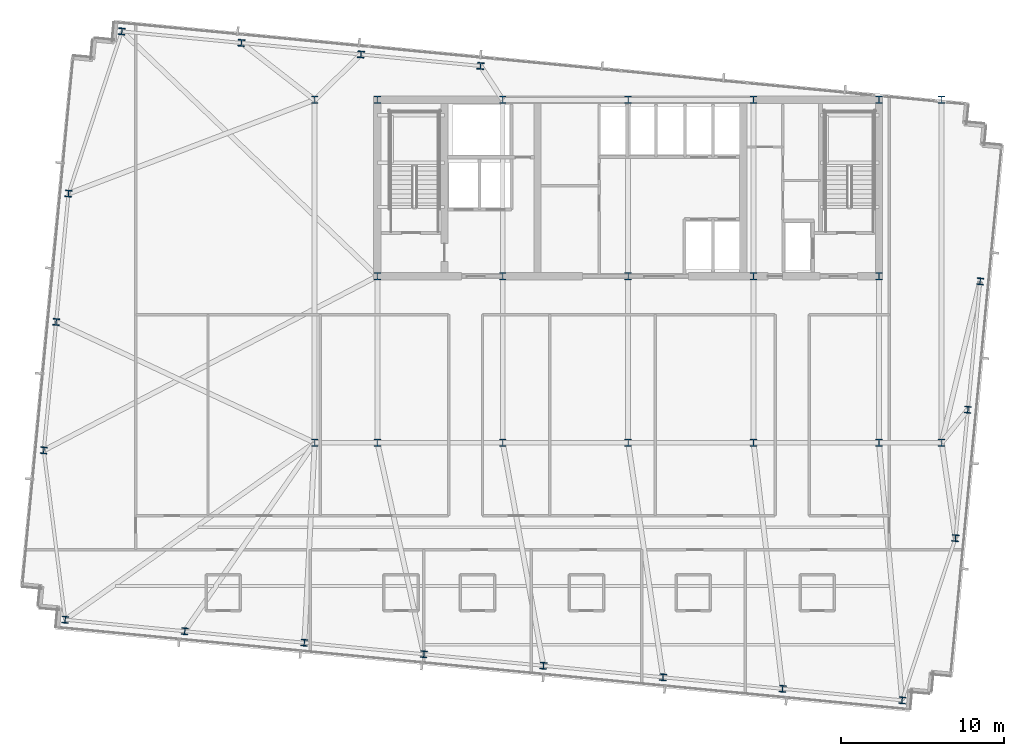
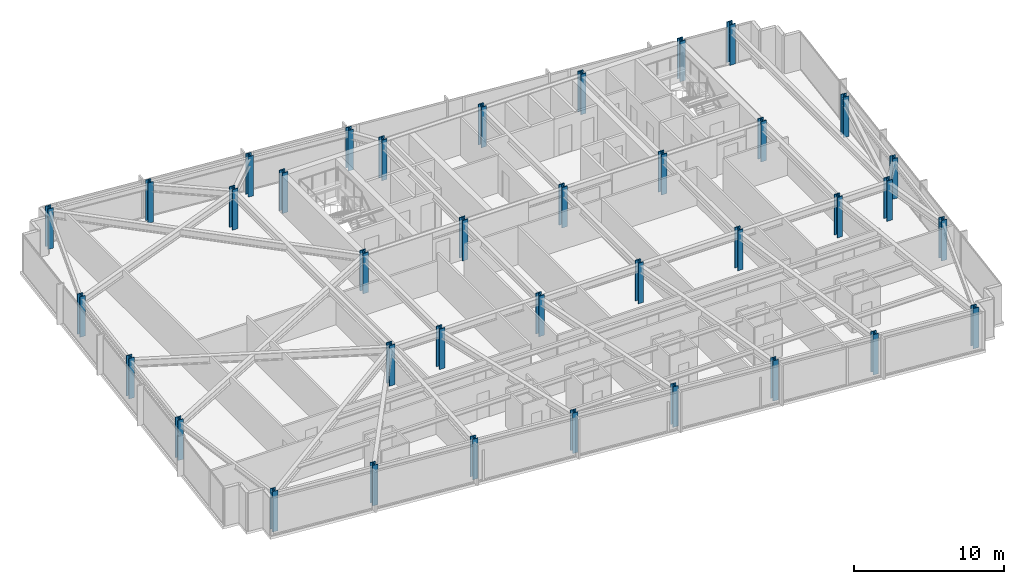
# One storey, part 1 of 36: 37 columns.
"""IFC4 building model written with IfcOpenShell, lengths in metres."""

from ifc_helpers import new_model, si_unit, direction, frame, origin, origin_2d, place, context, subcontext, project, spatial, i_section, extrude, material, material_profile, profile_set, type_object, element, save


model = new_model("IFC4")

# Units and contexts
model_context = context("Model", 3, precision=1e-05, world=origin(), true_north=direction((0.0, 1.0)))
body_context = subcontext(model_context, "Body", "Model", "MODEL_VIEW")
ifc_project = project(units=[si_unit("LENGTHUNIT", "METRE"), si_unit("AREAUNIT", "SQUARE_METRE"), si_unit("VOLUMEUNIT", "CUBIC_METRE"), si_unit("PLANEANGLEUNIT", "RADIAN"), si_unit("MASSUNIT", "GRAM", prefix="KILO")], contexts=[model_context])

# Site, building, storey
site_placement = place(None, origin())
site = spatial("IfcSite", under=ifc_project, at=site_placement, CompositionType="ELEMENT")
building_placement = place(site_placement, origin())
building = spatial("IfcBuilding", under=site, at=building_placement, Name="Yelkora Congress Tower", CompositionType="ELEMENT")
storey_placement = place(building_placement, frame((0.0, 0.0, 152.300048828125)))
storey = spatial("IfcBuildingStorey", under=building, at=storey_placement, Name="L41", CompositionType="ELEMENT", Elevation=152.300048828125)

# Columns
ifc_material = material(Name="Steel S460M", Category="steel")
ifc_material_profile_1 = material_profile(ifc_material, i_section(OverallWidth=0.406005859375, OverallDepth=0.416015625, WebThickness=0.02978515625, FlangeThickness=0.048095703125, FilletRadius=0.014892578125, at=origin_2d()), Name="HD 400x382")
ifc_profile_set_1 = profile_set([ifc_material_profile_1], Name="Steel S460M")
column_type_1 = type_object("IfcColumnType", Name="COL-HD-382-EXT", PredefinedType="COLUMN", material=ifc_profile_set_1)
for number, where, z_axis, x_axis, name in (
    (1, (3.919189453125, 14.357421875, 0.0), (0.0, 0.0, 1.0), (0.995396198367, -0.09584575252, 0.0), "L41 Perimeter Column S01"),
    (2, (11.242431640625, 13.652099609375, 0.0), (0.0, 0.0, 1.0), (0.995396198367, -0.09584575252, 0.0), "L41 Perimeter Column S02"),
    (3, (18.56591796875, 12.947021484375, 0.0), (0.0, 0.0, 1.0), (0.995396198367, -0.09584575252, 0.0), "L41 Perimeter Column S03"),
    (4, (25.888916015625, 12.24169921875, 0.0), (0.0, 0.0, 1.0), (0.995396198367, -0.09584575252, 0.0), "L41 Perimeter Column S04"),
    (5, (33.21240234375, 11.53662109375, 0.0), (0.0, 0.0, 1.0), (0.995396198367, -0.09584575252, 0.0), "L41 Perimeter Column S05"),
    (6, (40.53564453125, 10.83154296875, 0.0), (0.0, 0.0, 1.0), (0.995396198367, -0.09584575252, 0.0), "L41 Perimeter Column S06"),
    (7, (47.85888671875, 10.12646484375, 0.0), (0.0, 0.0, 1.0), (0.995396198367, -0.09584575252, 0.0), "L41 Perimeter Column S07"),
    (8, (55.18212890625, 9.421142578125, 0.0), (0.0, 0.0, 1.0), (0.995396198367, -0.09584575252, 0.0), "L41 Perimeter Column S08"),
    (9, (7.388916015625, 50.390625, 0.0), (0.0, 0.0, 1.0), (0.995396198367, -0.09584575252, 0.0), "L41 Perimeter Column N01"),
    (10, (14.712158203125, 49.685546875, 0.0), (0.0, 0.0, 1.0), (0.995396198367, -0.09584575252, 0.0), "L41 Perimeter Column N02"),
    (11, (22.035400390625, 48.980224609375, 0.0), (0.0, 0.0, 1.0), (0.995396198367, -0.09584575252, 0.0), "L41 Perimeter Column N03"),
    (12, (29.358642578125, 48.275146484375, 0.0), (0.0, 0.0, 1.0), (0.995396198367, -0.09584575252, 0.0), "L41 Perimeter Column N04"),
    (13, (2.607421875, 24.730712890625, 0.0), (0.0, 0.0, 1.0), (0.995396198367, -0.09584575252, 0.0), "L41 Perimeter Column W01"),
    (14, (58.44921875, 19.353759765625, 0.0), (0.0, 0.0, 1.0), (0.995396198367, -0.09584575252, 0.0), "L41 Perimeter Column E01"),
    (15, (3.364501953125, 32.594482421875, 0.0), (0.0, 0.0, 1.0), (0.995396198367, -0.09584575252, 0.0), "L41 Perimeter Column W02"),
    (16, (59.206298828125, 27.217529296875, 0.0), (0.0, 0.0, 1.0), (0.995396198367, -0.09584575252, 0.0), "L41 Perimeter Column E02"),
    (17, (4.121826171875, 40.4580078125, 0.0), (0.0, 0.0, 1.0), (0.995396198367, -0.09584575252, 0.0), "L41 Perimeter Column W03"),
    (18, (59.96337890625, 35.0810546875, 0.0), (0.0, 0.0, 1.0), (0.995396198367, -0.09584575252, 0.0), "L41 Perimeter Column E03"),
):
    element("IfcColumn", number, at=place(storey_placement, frame(where, z_axis=z_axis, x_axis=x_axis)), inside=storey, type_object=column_type_1, Name=name, PredefinedType="COLUMN", context=body_context, shape_type="SweptSolid", body=[
        extrude(i_section(OverallWidth=0.406005859375, OverallDepth=0.416015625, WebThickness=0.02978515625, FlangeThickness=0.048095703125, FilletRadius=0.014892578125, at=origin_2d()), origin(), (0.0, 0.0, 1.0), 3.300048828125),
    ])
ifc_material_profile_2 = material_profile(ifc_material, i_section(OverallWidth=0.41796875, OverallDepth=0.455078125, WebThickness=0.0419921875, FlangeThickness=0.068115234375, FilletRadius=0.014892578125, at=origin_2d()), Name="HD 400x551")
ifc_profile_set_2 = profile_set([ifc_material_profile_2], Name="Steel S460M")
column_type_2 = type_object("IfcColumnType", Name="COL-HD-551", PredefinedType="COLUMN", material=ifc_profile_set_2)
for number, where, z_axis, x_axis, name in (
    (19, (23.0400390625, 35.39990234375, 0.0), (0.0, 0.0, 1.0), (1.0, 0.0, 0.0), "L41 Mega Column MC-S1"),
    (20, (23.0400390625, 46.199951171875, 0.0), (0.0, 0.0, 1.0), (1.0, 0.0, 0.0), "L41 Mega Column MC-N1"),
    (21, (23.0400390625, 25.199951171875, 0.0), (0.0, 0.0, 1.0), (1.0, 0.0, 0.0), "L41 Mega Column MC-D1"),
    (22, (30.719970703125, 35.39990234375, 0.0), (0.0, 0.0, 1.0), (1.0, 0.0, 0.0), "L41 Mega Column MC-S2"),
    (23, (30.719970703125, 46.199951171875, 0.0), (0.0, 0.0, 1.0), (1.0, 0.0, 0.0), "L41 Mega Column MC-N2"),
    (24, (30.719970703125, 25.199951171875, 0.0), (0.0, 0.0, 1.0), (1.0, 0.0, 0.0), "L41 Mega Column MC-D2"),
    (25, (38.39990234375, 35.39990234375, 0.0), (0.0, 0.0, 1.0), (1.0, 0.0, 0.0), "L41 Mega Column MC-S3"),
    (26, (38.39990234375, 46.199951171875, 0.0), (0.0, 0.0, 1.0), (1.0, 0.0, 0.0), "L41 Mega Column MC-N3"),
    (27, (38.39990234375, 25.199951171875, 0.0), (0.0, 0.0, 1.0), (1.0, 0.0, 0.0), "L41 Mega Column MC-D3"),
    (28, (46.080078125, 35.39990234375, 0.0), (0.0, 0.0, 1.0), (1.0, 0.0, 0.0), "L41 Mega Column MC-S4"),
    (29, (46.080078125, 46.199951171875, 0.0), (0.0, 0.0, 1.0), (1.0, 0.0, 0.0), "L41 Mega Column MC-N4"),
    (30, (46.080078125, 25.199951171875, 0.0), (0.0, 0.0, 1.0), (1.0, 0.0, 0.0), "L41 Mega Column MC-D4"),
    (31, (53.760009765625, 35.39990234375, 0.0), (0.0, 0.0, 1.0), (1.0, 0.0, 0.0), "L41 Mega Column MC-S5"),
    (32, (53.760009765625, 46.199951171875, 0.0), (0.0, 0.0, 1.0), (1.0, 0.0, 0.0), "L41 Mega Column MC-N5"),
    (33, (53.760009765625, 25.199951171875, 0.0), (0.0, 0.0, 1.0), (1.0, 0.0, 0.0), "L41 Mega Column MC-D5"),
    (34, (19.199951171875, 25.199951171875, 0.0), (0.0, 0.0, 1.0), (1.0, 0.0, 0.0), "L41 Mega Column MC-F1"),
    (35, (57.60009765625, 25.199951171875, 0.0), (0.0, 0.0, 1.0), (1.0, 0.0, 0.0), "L41 Mega Column MC-F2"),
    (36, (19.199951171875, 46.199951171875, 0.0), (0.0, 0.0, 1.0), (1.0, 0.0, 0.0), "L41 Mega Column MC-F3"),
    (37, (57.60009765625, 46.199951171875, 0.0), (0.0, 0.0, 1.0), (1.0, 0.0, 0.0), "L41 Mega Column MC-F4"),
):
    element("IfcColumn", number, at=place(storey_placement, frame(where, z_axis=z_axis, x_axis=x_axis)), inside=storey, type_object=column_type_2, Name=name, PredefinedType="COLUMN", context=body_context, shape_type="SweptSolid", body=[
        extrude(i_section(OverallWidth=0.41796875, OverallDepth=0.455078125, WebThickness=0.0419921875, FlangeThickness=0.068115234375, FilletRadius=0.014892578125, at=origin_2d()), origin(), (0.0, 0.0, 1.0), 3.300048828125),
    ])

save(model, "model.ifc")
